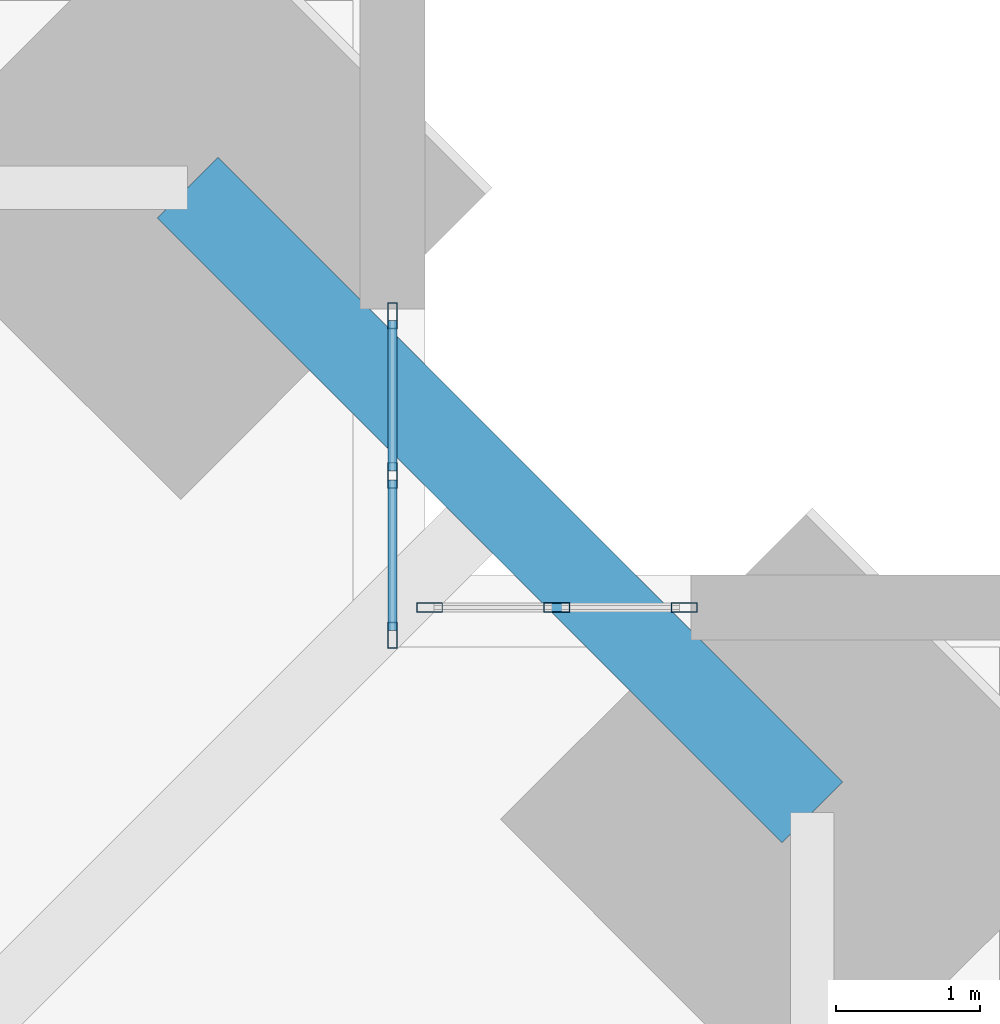
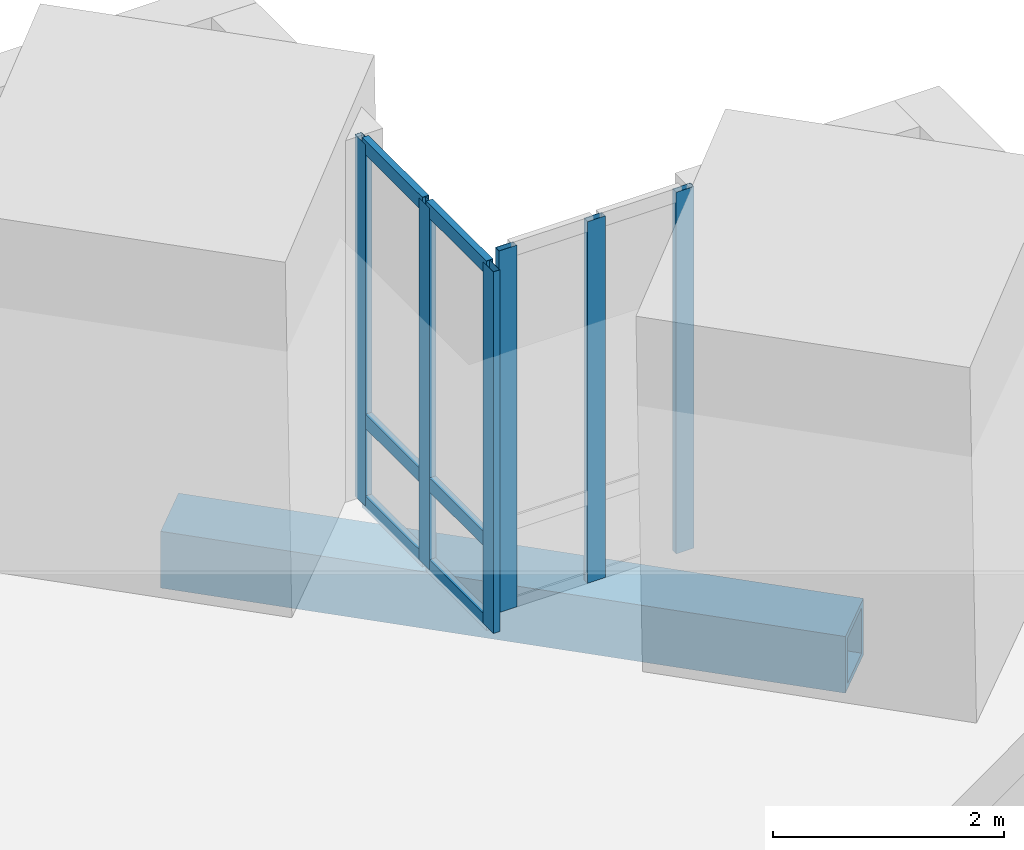
# One storey, part 8 of 15: 12 members, 1 beam, 2 elements without a shape of their own.
"""IFC4 building model written with IfcOpenShell, lengths in metres."""

from ifc_helpers import new_model, si_unit, direction, frame, origin, origin_2d, place, context, subcontext, project, spatial, hollow_rectangle, extrude, material, material_profile, profile_set, type_object, element, aggregate, save


model = new_model("IFC4")

# Units and contexts
model_context = context("Model", 3, precision=1e-05, world=origin(), true_north=direction((0.0, 1.0)))
body_context = subcontext(model_context, "Body", "Model", "MODEL_VIEW")
ifc_project = project(units=[si_unit("LENGTHUNIT", "METRE"), si_unit("AREAUNIT", "SQUARE_METRE"), si_unit("VOLUMEUNIT", "CUBIC_METRE"), si_unit("PLANEANGLEUNIT", "RADIAN"), si_unit("MASSUNIT", "GRAM", prefix="KILO")], contexts=[model_context])

# Site, building, storey
site_placement = place(None, origin())
site = spatial("IfcSite", under=ifc_project, at=site_placement, CompositionType="ELEMENT")
building_placement = place(site_placement, origin())
building = spatial("IfcBuilding", under=site, at=building_placement, Name="Peilmerk Tower", CompositionType="ELEMENT")
storey_placement = place(building_placement, frame((0.0, 0.0, 205.800048828125)))
storey = spatial("IfcBuildingStorey", under=building, at=storey_placement, Name="L44", CompositionType="ELEMENT", Elevation=205.800048828125)

# Beam
ifc_material_1 = material(Name="Steel S460", Category="steel")
ifc_material_profile_1 = material_profile(ifc_material_1, hollow_rectangle(XDim=0.60009765625, YDim=0.60009765625, WallThickness=0.06005859375, at=origin_2d()), Name="BOX 600x600x60")
ifc_profile_set_1 = profile_set([ifc_material_profile_1], Name="Steel S460")
beam_type = type_object("IfcBeamType", Name="B20 BOX 600x600x60 notch beam", PredefinedType="SPANDREL", material=ifc_profile_set_1)
beam_placement = place(storey_placement, frame((18.248291015625, 22.598388671875, -0.469970703125), z_axis=(0.707106781187, -0.707106781187, 0.0), x_axis=(0.707106781187, 0.707106781187, 0.0)))
element("IfcBeam", 1, at=beam_placement, inside=storey, type_object=beam_type, Name="Notch beam L44", PredefinedType="SPANDREL", context=body_context, shape_type="SweptSolid", body=[
    extrude(hollow_rectangle(XDim=0.60009765625, YDim=0.60009765625, WallThickness=0.06005859375, at=origin_2d()), origin(), (0.0, 0.0, 1.0), 6.15185546875),
])

# Curtain wall, members
ifc_material_2 = material(Name="Aluminium stick curtain wall", Category="aluminium")
curtain_wall_type = type_object("IfcCurtainWallType", Name="CW4 stick curtain wall, 2250 module", PredefinedType="NOTDEFINED", material=ifc_material_2)
curtain_wall_1_placement = place(storey_placement, origin())
curtain_wall_1 = element("IfcCurtainWall", 2, at=curtain_wall_1_placement, inside=storey, type_object=curtain_wall_type, Name="Curtain wall CW4 NEA L44", PredefinedType="NOTDEFINED")
ifc_material_3 = material(Name="Aluminium EN AW-6063 T6", Category="aluminium")
ifc_material_profile_2 = material_profile(ifc_material_3, hollow_rectangle(XDim=0.06494140625, YDim=0.179931640625, WallThickness=0.0029296875, at=origin_2d()), Name="AL 180x65x3")
ifc_profile_set_2 = profile_set([ifc_material_profile_2], Name="Aluminium EN AW-6063 T6")
member_type_1 = type_object("IfcMemberType", Name="CW4-M AL 180x65x3 mullion", PredefinedType="MULLION", material=ifc_profile_set_2)
member_1_placement = place(storey_placement, frame((19.675048828125, 19.482421875, 0.0), z_axis=(0.0, 0.0, 1.0), x_axis=(-1.0, 0.0, 0.0)))
member_1 = element("IfcMember", 3, at=member_1_placement, type_object=member_type_1, Name="CW4 mullion 1", PredefinedType="MULLION", context=body_context, shape_type="SweptSolid", body=[
    extrude(hollow_rectangle(XDim=0.06494140625, YDim=0.179931640625, WallThickness=0.0029296875, at=origin_2d()), origin(), (0.0, 0.0, 1.0), 3.829833984375),
])
member_2_placement = place(storey_placement, frame((19.675048828125, 20.59423828125, 0.0), z_axis=(0.0, 0.0, 1.0), x_axis=(-1.0, 0.0, 0.0)))
member_2 = element("IfcMember", 4, at=member_2_placement, type_object=member_type_1, Name="CW4 mullion 2", PredefinedType="MULLION", context=body_context, shape_type="SweptSolid", body=[
    extrude(hollow_rectangle(XDim=0.06494140625, YDim=0.179931640625, WallThickness=0.0029296875, at=origin_2d()), origin(), (0.0, 0.0, 1.0), 3.829833984375),
])
member_3_placement = place(storey_placement, frame((19.675048828125, 21.706298828125, 0.0), z_axis=(0.0, 0.0, 1.0), x_axis=(-1.0, 0.0, 0.0)))
member_3 = element("IfcMember", 5, at=member_3_placement, type_object=member_type_1, Name="CW4 mullion 3", PredefinedType="MULLION", context=body_context, shape_type="SweptSolid", body=[
    extrude(hollow_rectangle(XDim=0.06494140625, YDim=0.179931640625, WallThickness=0.0029296875, at=origin_2d()), origin(), (0.0, 0.0, 1.0), 3.829833984375),
])

curtain_wall_2_placement = place(storey_placement, origin())
curtain_wall_2 = element("IfcCurtainWall", 6, at=curtain_wall_2_placement, inside=storey, type_object=curtain_wall_type, Name="Curtain wall CW4 NEB L44", PredefinedType="NOTDEFINED")
member_4_placement = place(storey_placement, frame((19.9326171875, 19.675048828125, 0.0), z_axis=(0.0, 0.0, 1.0), x_axis=(0.0, 1.0, 0.0)))
member_4 = element("IfcMember", 7, at=member_4_placement, type_object=member_type_1, Name="CW4 mullion 1", PredefinedType="MULLION", context=body_context, shape_type="SweptSolid", body=[
    extrude(hollow_rectangle(XDim=0.06494140625, YDim=0.179931640625, WallThickness=0.0029296875, at=origin_2d()), origin(), (0.0, 0.0, 1.0), 3.829833984375),
])
member_5_placement = place(storey_placement, frame((20.8193359375, 19.675048828125, 0.0), z_axis=(0.0, 0.0, 1.0), x_axis=(0.0, 1.0, 0.0)))
member_5 = element("IfcMember", 8, at=member_5_placement, type_object=member_type_1, Name="CW4 mullion 2", PredefinedType="MULLION", context=body_context, shape_type="SweptSolid", body=[
    extrude(hollow_rectangle(XDim=0.06494140625, YDim=0.179931640625, WallThickness=0.0029296875, at=origin_2d()), origin(), (0.0, 0.0, 1.0), 3.829833984375),
])
member_6_placement = place(storey_placement, frame((21.706298828125, 19.675048828125, 0.0), z_axis=(0.0, 0.0, 1.0), x_axis=(0.0, 1.0, 0.0)))
member_6 = element("IfcMember", 9, at=member_6_placement, type_object=member_type_1, Name="CW4 mullion 3", PredefinedType="MULLION", context=body_context, shape_type="SweptSolid", body=[
    extrude(hollow_rectangle(XDim=0.06494140625, YDim=0.179931640625, WallThickness=0.0029296875, at=origin_2d()), origin(), (0.0, 0.0, 1.0), 3.829833984375),
])
aggregate(curtain_wall_2, [member_4, member_5, member_6])

# Member
ifc_material_profile_3 = material_profile(ifc_material_3, hollow_rectangle(XDim=0.06494140625, YDim=0.14990234375, WallThickness=0.0029296875, at=origin_2d()), Name="AL 150x65x3")
ifc_profile_set_3 = profile_set([ifc_material_profile_3], Name="Aluminium EN AW-6063 T6")
member_type_2 = type_object("IfcMemberType", Name="CW4-T AL 150x65x3 transom", PredefinedType="USERDEFINED", material=ifc_profile_set_3)
member_7_placement = place(storey_placement, frame((19.675048828125, 19.514892578125, 0.032470703125), z_axis=(0.0, 1.0, 0.0), x_axis=(-1.0, 0.0, 0.0)))
member_7 = element("IfcMember", 10, at=member_7_placement, type_object=member_type_2, Name="CW4 transom 1.1", ObjectType="TRANSOM", PredefinedType="USERDEFINED", context=body_context, shape_type="SweptSolid", body=[
    extrude(hollow_rectangle(XDim=0.06494140625, YDim=0.14990234375, WallThickness=0.0029296875, at=origin_2d()), origin(), (0.0, 0.0, 1.0), 1.046875),
])

member_8_placement = place(storey_placement, frame((19.675048828125, 19.514892578125, 0.89990234375), z_axis=(0.0, 1.0, 0.0), x_axis=(-1.0, 0.0, 0.0)))
member_8 = element("IfcMember", 11, at=member_8_placement, type_object=member_type_2, Name="CW4 transom 1.2", ObjectType="TRANSOM", PredefinedType="USERDEFINED", context=body_context, shape_type="SweptSolid", body=[
    extrude(hollow_rectangle(XDim=0.06494140625, YDim=0.14990234375, WallThickness=0.0029296875, at=origin_2d()), origin(), (0.0, 0.0, 1.0), 1.046875),
])

member_9_placement = place(storey_placement, frame((19.675048828125, 19.514892578125, 3.79736328125), z_axis=(0.0, 1.0, 0.0), x_axis=(-1.0, 0.0, 0.0)))
member_9 = element("IfcMember", 12, at=member_9_placement, type_object=member_type_2, Name="CW4 transom 1.3", ObjectType="TRANSOM", PredefinedType="USERDEFINED", context=body_context, shape_type="SweptSolid", body=[
    extrude(hollow_rectangle(XDim=0.06494140625, YDim=0.14990234375, WallThickness=0.0029296875, at=origin_2d()), origin(), (0.0, 0.0, 1.0), 1.046875),
])

member_10_placement = place(storey_placement, frame((19.675048828125, 20.626953125, 0.032470703125), z_axis=(0.0, 1.0, 0.0), x_axis=(-1.0, 0.0, 0.0)))
member_10 = element("IfcMember", 13, at=member_10_placement, type_object=member_type_2, Name="CW4 transom 2.1", ObjectType="TRANSOM", PredefinedType="USERDEFINED", context=body_context, shape_type="SweptSolid", body=[
    extrude(hollow_rectangle(XDim=0.06494140625, YDim=0.14990234375, WallThickness=0.0029296875, at=origin_2d()), origin(), (0.0, 0.0, 1.0), 1.046630859375),
])

member_11_placement = place(storey_placement, frame((19.675048828125, 20.626953125, 0.89990234375), z_axis=(0.0, 1.0, 0.0), x_axis=(-1.0, 0.0, 0.0)))
member_11 = element("IfcMember", 14, at=member_11_placement, type_object=member_type_2, Name="CW4 transom 2.2", ObjectType="TRANSOM", PredefinedType="USERDEFINED", context=body_context, shape_type="SweptSolid", body=[
    extrude(hollow_rectangle(XDim=0.06494140625, YDim=0.14990234375, WallThickness=0.0029296875, at=origin_2d()), origin(), (0.0, 0.0, 1.0), 1.046630859375),
])

member_12_placement = place(storey_placement, frame((19.675048828125, 20.626953125, 3.79736328125), z_axis=(0.0, 1.0, 0.0), x_axis=(-1.0, 0.0, 0.0)))
member_12 = element("IfcMember", 15, at=member_12_placement, type_object=member_type_2, Name="CW4 transom 2.3", ObjectType="TRANSOM", PredefinedType="USERDEFINED", context=body_context, shape_type="SweptSolid", body=[
    extrude(hollow_rectangle(XDim=0.06494140625, YDim=0.14990234375, WallThickness=0.0029296875, at=origin_2d()), origin(), (0.0, 0.0, 1.0), 1.046630859375),
])

aggregate(curtain_wall_1, [member_1, member_2, member_3, member_7, member_8, member_9, member_10, member_11, member_12])

save(model, "model.ifc")
